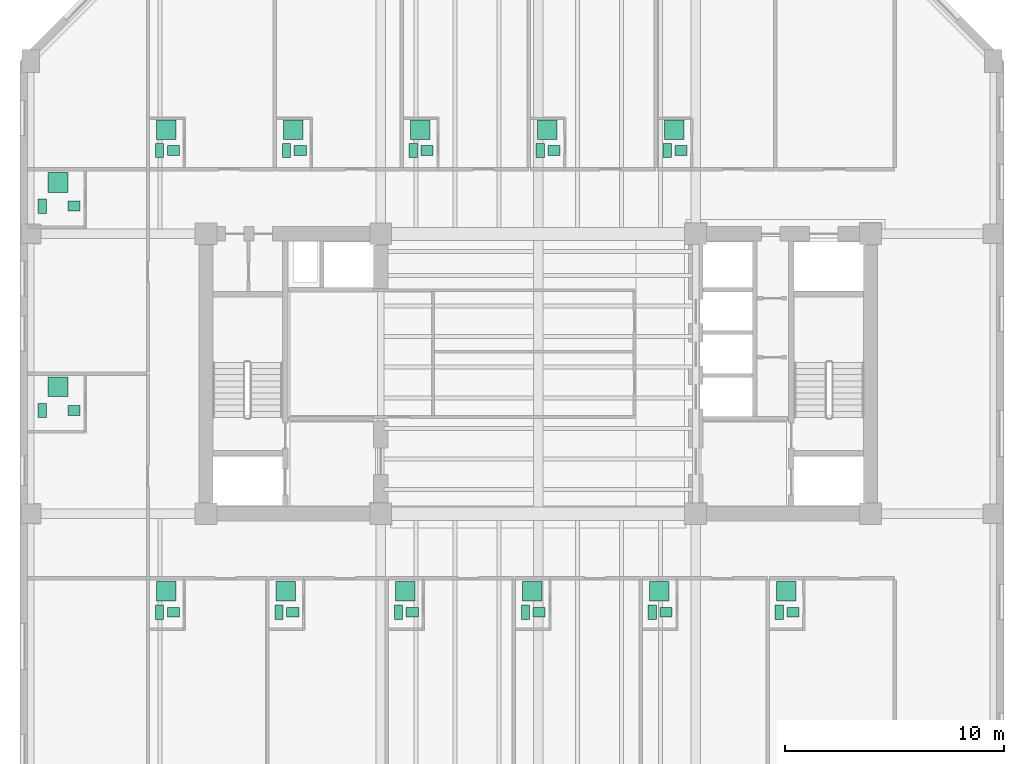
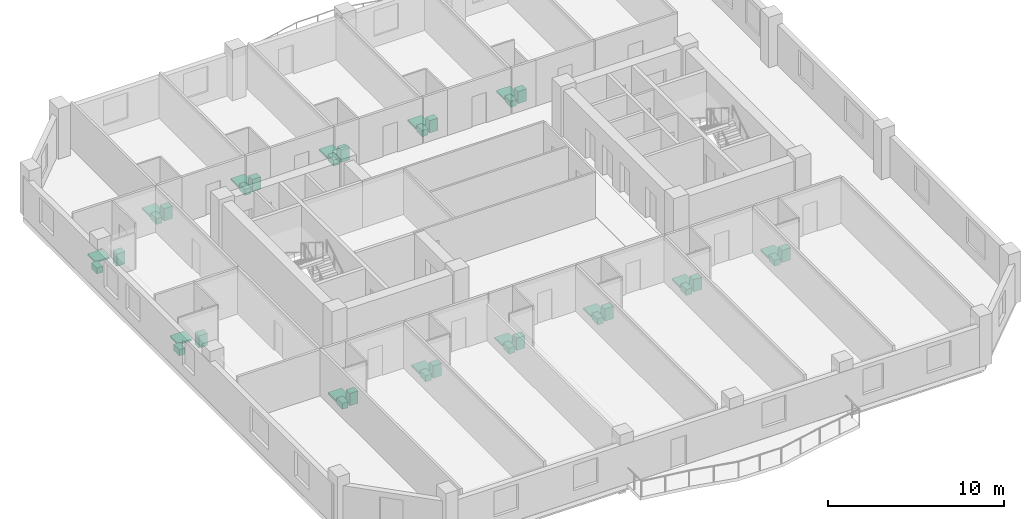
# One storey, part 11 of 11: 39 sanitary terminals.
"""IFC4 building model written with IfcOpenShell, lengths in metres."""

from ifc_helpers import new_model, si_unit, direction, frame, origin, origin_2d, place, context, subcontext, project, spatial, rectangle, extrude, material, type_object, element, save


model = new_model("IFC4")

# Units and contexts
model_context = context("Model", 3, precision=1e-05, world=origin(), true_north=direction((0.0, 1.0)))
body_context = subcontext(model_context, "Body", "Model", "MODEL_VIEW")
ifc_project = project(units=[si_unit("LENGTHUNIT", "METRE"), si_unit("AREAUNIT", "SQUARE_METRE"), si_unit("VOLUMEUNIT", "CUBIC_METRE"), si_unit("PLANEANGLEUNIT", "RADIAN"), si_unit("MASSUNIT", "GRAM", prefix="KILO")], contexts=[model_context])

# Site, building, storey
site_placement = place(None, origin())
site = spatial("IfcSite", under=ifc_project, at=site_placement, CompositionType="ELEMENT")
building_placement = place(site_placement, origin())
building = spatial("IfcBuilding", under=site, at=building_placement, Name="Kranthara Brick Stack", CompositionType="ELEMENT")
storey_placement = place(building_placement, frame((0.0, 0.0, 130.800048828125)))
storey = spatial("IfcBuildingStorey", under=building, at=storey_placement, Name="L32", CompositionType="ELEMENT", Elevation=130.800048828125)

# Sanitary terminals
ifc_material_1 = material(Name="Vitreous china sanitary porcelain", Category="other")
sanitary_terminal_type_1 = type_object("IfcSanitaryTerminalType", Name="SAN-BASIN", PredefinedType="WASHHANDBASIN", material=ifc_material_1)
for number, where, z_axis, x_axis, name in (
    (1, (11.31005859375, 16.294921875, 0.0), (0.0, 0.0, 1.0), (1.0, 0.0, 0.0), "L32 Washbasin 109"),
    (2, (16.77392578125, 16.294921875, 0.0), (0.0, 0.0, 1.0), (1.0, 0.0, 0.0), "L32 Washbasin 110"),
    (3, (22.238037109375, 16.294921875, 0.0), (0.0, 0.0, 1.0), (1.0, 0.0, 0.0), "L32 Washbasin 111"),
    (4, (28.04296875, 16.294921875, 0.0), (0.0, 0.0, 1.0), (1.0, 0.0, 0.0), "L32 Washbasin 112"),
    (5, (33.84912109375, 16.294921875, 0.0), (0.0, 0.0, 1.0), (1.0, 0.0, 0.0), "L32 Washbasin 113"),
    (6, (39.654052734375, 16.294921875, 0.0), (0.0, 0.0, 1.0), (1.0, 0.0, 0.0), "L32 Washbasin 114"),
    (7, (11.31005859375, 37.405029296875, 0.0), (0.0, 0.0, 1.0), (1.0, 0.0, 0.0), "L32 Washbasin 115"),
    (8, (17.115966796875, 37.405029296875, 0.0), (0.0, 0.0, 1.0), (1.0, 0.0, 0.0), "L32 Washbasin 116"),
    (9, (22.9208984375, 37.405029296875, 0.0), (0.0, 0.0, 1.0), (1.0, 0.0, 0.0), "L32 Washbasin 117"),
    (10, (28.72607421875, 37.405029296875, 0.0), (0.0, 0.0, 1.0), (1.0, 0.0, 0.0), "L32 Washbasin 118"),
    (11, (34.531982421875, 37.405029296875, 0.0), (0.0, 0.0, 1.0), (1.0, 0.0, 0.0), "L32 Washbasin 119"),
    (12, (6.760009765625, 25.514892578125, 0.0), (0.0, 0.0, 1.0), (1.0, 0.0, 0.0), "L32 Washbasin 120"),
    (13, (6.760009765625, 34.864990234375, 0.0), (0.0, 0.0, 1.0), (1.0, 0.0, 0.0), "L32 Washbasin 121"),
):
    element("IfcSanitaryTerminal", number, at=place(storey_placement, frame(where, z_axis=z_axis, x_axis=x_axis)), inside=storey, type_object=sanitary_terminal_type_1, Name=name, PredefinedType="WASHHANDBASIN", context=body_context, shape_type="SweptSolid", body=[
        extrude(rectangle(XDim=0.550048828125, YDim=0.449951171875, at=origin_2d()), origin(), (0.0, 0.0, 1.0), 0.85009765625),
    ])
ifc_material_2 = material(Name="Acrylic and porcelain shower tray", Category="other")
sanitary_terminal_type_2 = type_object("IfcSanitaryTerminalType", Name="SAN-SHOWER", PredefinedType="SHOWER", material=ifc_material_2)
for number, where, z_axis, x_axis, name in (
    (14, (10.9951171875, 17.25, 0.0), (0.0, 0.0, 1.0), (1.0, 0.0, 0.0), "L32 Shower Tray 109"),
    (15, (16.458984375, 17.25, 0.0), (0.0, 0.0, 1.0), (1.0, 0.0, 0.0), "L32 Shower Tray 110"),
    (16, (21.923095703125, 17.25, 0.0), (0.0, 0.0, 1.0), (1.0, 0.0, 0.0), "L32 Shower Tray 111"),
    (17, (27.72802734375, 17.25, 0.0), (0.0, 0.0, 1.0), (1.0, 0.0, 0.0), "L32 Shower Tray 112"),
    (18, (33.533935546875, 17.25, 0.0), (0.0, 0.0, 1.0), (1.0, 0.0, 0.0), "L32 Shower Tray 113"),
    (19, (39.339111328125, 17.25, 0.0), (0.0, 0.0, 1.0), (1.0, 0.0, 0.0), "L32 Shower Tray 114"),
    (20, (10.9951171875, 38.360107421875, 0.0), (0.0, 0.0, 1.0), (1.0, 0.0, 0.0), "L32 Shower Tray 115"),
    (21, (16.801025390625, 38.360107421875, 0.0), (0.0, 0.0, 1.0), (1.0, 0.0, 0.0), "L32 Shower Tray 116"),
    (22, (22.60595703125, 38.360107421875, 0.0), (0.0, 0.0, 1.0), (1.0, 0.0, 0.0), "L32 Shower Tray 117"),
    (23, (28.410888671875, 38.360107421875, 0.0), (0.0, 0.0, 1.0), (1.0, 0.0, 0.0), "L32 Shower Tray 118"),
    (24, (34.217041015625, 38.360107421875, 0.0), (0.0, 0.0, 1.0), (1.0, 0.0, 0.0), "L32 Shower Tray 119"),
    (25, (6.0400390625, 26.60009765625, 0.0), (0.0, 0.0, 1.0), (1.0, 0.0, 0.0), "L32 Shower Tray 120"),
    (26, (6.0400390625, 35.949951171875, 0.0), (0.0, 0.0, 1.0), (1.0, 0.0, 0.0), "L32 Shower Tray 121"),
):
    element("IfcSanitaryTerminal", number, at=place(storey_placement, frame(where, z_axis=z_axis, x_axis=x_axis)), inside=storey, type_object=sanitary_terminal_type_2, Name=name, PredefinedType="SHOWER", context=body_context, shape_type="SweptSolid", body=[
        extrude(rectangle(XDim=0.89990234375, YDim=0.89990234375, at=origin_2d()), origin(), (0.0, 0.0, 1.0), 0.1201171875),
    ])
ifc_material_3 = material(Name="Vitreous china sanitary porcelain", Category="other")
sanitary_terminal_type_3 = type_object("IfcSanitaryTerminalType", Name="SAN-WC-PAN", PredefinedType="TOILETPAN", material=ifc_material_3)
for number, where, z_axis, x_axis, name in (
    (27, (10.679931640625, 16.294921875, 0.0), (0.0, 0.0, 1.0), (1.0, 0.0, 0.0), "L32 WC Pan 109"),
    (28, (16.14404296875, 16.294921875, 0.0), (0.0, 0.0, 1.0), (1.0, 0.0, 0.0), "L32 WC Pan 110"),
    (29, (21.60791015625, 16.294921875, 0.0), (0.0, 0.0, 1.0), (1.0, 0.0, 0.0), "L32 WC Pan 111"),
    (30, (27.4130859375, 16.294921875, 0.0), (0.0, 0.0, 1.0), (1.0, 0.0, 0.0), "L32 WC Pan 112"),
    (31, (33.218994140625, 16.294921875, 0.0), (0.0, 0.0, 1.0), (1.0, 0.0, 0.0), "L32 WC Pan 113"),
    (32, (39.02392578125, 16.294921875, 0.0), (0.0, 0.0, 1.0), (1.0, 0.0, 0.0), "L32 WC Pan 114"),
    (33, (10.679931640625, 37.405029296875, 0.0), (0.0, 0.0, 1.0), (1.0, 0.0, 0.0), "L32 WC Pan 115"),
    (34, (16.486083984375, 37.405029296875, 0.0), (0.0, 0.0, 1.0), (1.0, 0.0, 0.0), "L32 WC Pan 116"),
    (35, (22.291015625, 37.405029296875, 0.0), (0.0, 0.0, 1.0), (1.0, 0.0, 0.0), "L32 WC Pan 117"),
    (36, (28.095947265625, 37.405029296875, 0.0), (0.0, 0.0, 1.0), (1.0, 0.0, 0.0), "L32 WC Pan 118"),
    (37, (33.902099609375, 37.405029296875, 0.0), (0.0, 0.0, 1.0), (1.0, 0.0, 0.0), "L32 WC Pan 119"),
    (38, (5.320068359375, 25.514892578125, 0.0), (0.0, 0.0, 1.0), (1.0, 0.0, 0.0), "L32 WC Pan 120"),
    (39, (5.320068359375, 34.864990234375, 0.0), (0.0, 0.0, 1.0), (1.0, 0.0, 0.0), "L32 WC Pan 121"),
):
    element("IfcSanitaryTerminal", number, at=place(storey_placement, frame(where, z_axis=z_axis, x_axis=x_axis)), inside=storey, type_object=sanitary_terminal_type_3, Name=name, PredefinedType="TOILETPAN", context=body_context, shape_type="SweptSolid", body=[
        extrude(rectangle(XDim=0.3798828125, YDim=0.64990234375, at=origin_2d()), origin(), (0.0, 0.0, 1.0), 0.419921875),
    ])

save(model, "model.ifc")
